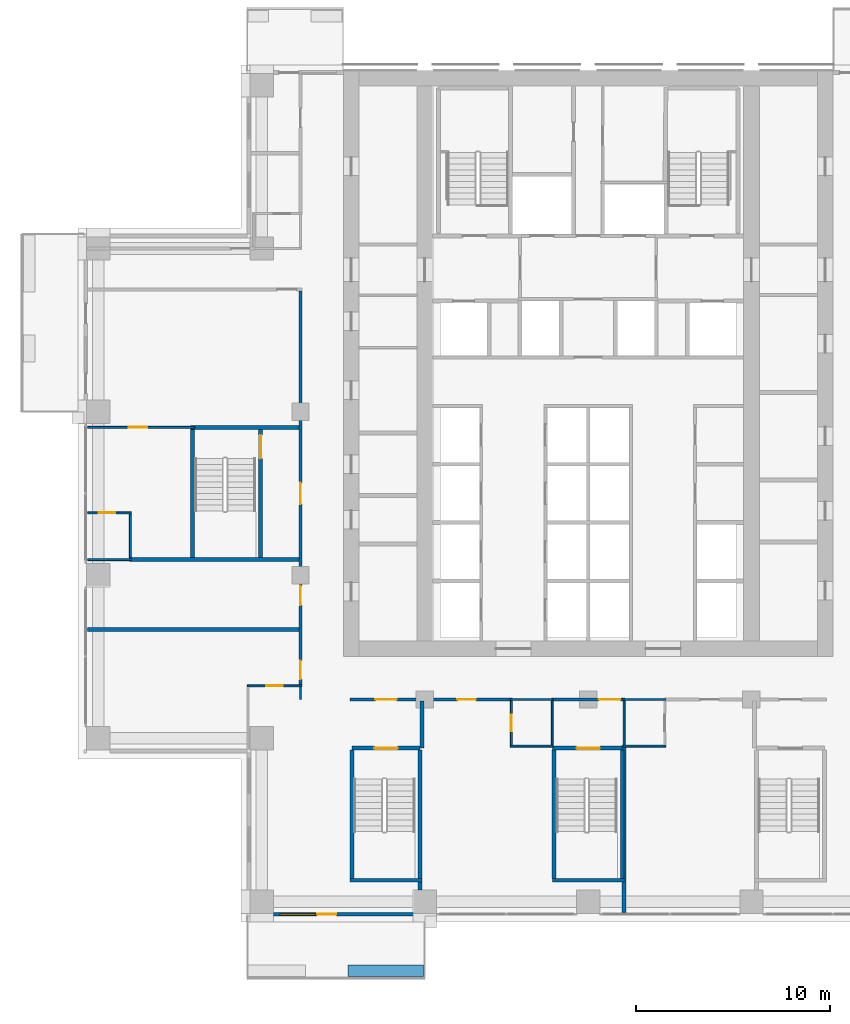
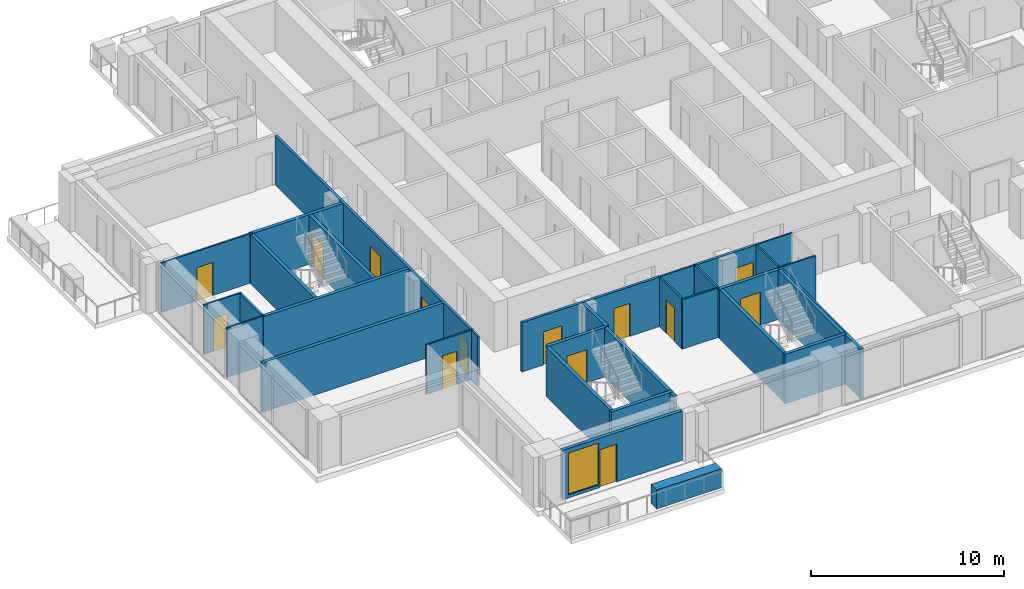
# One storey, part 7 of 17: 33 walls, 14 doors, 1 window, 15 openings.
"""IFC4 building model written with IfcOpenShell, lengths in metres."""

from ifc_helpers import new_model, si_unit, direction, frame, frame_2d, origin, place, context, subcontext, project, spatial, rectangle, extrude, material, layer, layer_set, type_object, element, fill, save


model = new_model("IFC4")

# Units and contexts
model_context = context("Model", 3, precision=1e-05, world=origin(), true_north=direction((0.0, 1.0)))
body_context = subcontext(model_context, "Body", "Model", "MODEL_VIEW")
ifc_project = project(units=[si_unit("LENGTHUNIT", "METRE"), si_unit("AREAUNIT", "SQUARE_METRE"), si_unit("VOLUMEUNIT", "CUBIC_METRE"), si_unit("PLANEANGLEUNIT", "RADIAN"), si_unit("MASSUNIT", "GRAM", prefix="KILO")], contexts=[model_context])

# Site, building, storey
site_placement = place(None, origin())
site = spatial("IfcSite", under=ifc_project, at=site_placement, CompositionType="ELEMENT")
building_placement = place(site_placement, origin())
building = spatial("IfcBuilding", under=site, at=building_placement, Name="Vermilion Ogive Tower", CompositionType="ELEMENT")
storey_placement = place(building_placement, frame((0.0, 0.0, 87.300048828125)))
storey = spatial("IfcBuildingStorey", under=building, at=storey_placement, Name="L21", CompositionType="ELEMENT", Elevation=87.300048828125)

# Walls
ifc_material_1 = material(Name="Gypsum board partition on steel studs", Category="steel")
ifc_layer_1 = layer(ifc_material_1, 0.10009765625)
ifc_layer_set_1 = layer_set([ifc_layer_1], Name="Partition 100 bath")
wall_type_1 = type_object("IfcWallType", Name="Partition 100 bath", PredefinedType="PARTITIONING", material=ifc_layer_set_1)
wall_1_placement = place(storey_placement, frame((-4.0, -13.0, 0.0), z_axis=(0.0, 0.0, 1.0), x_axis=(1.0, 0.0, 0.0)))
element("IfcWall", 1, at=wall_1_placement, inside=storey, type_object=wall_type_1, Name="L21-W-W005", PredefinedType="PARTITIONING", context=body_context, shape_type="SweptSolid", body=[
    extrude(rectangle(XDim=2.199951171875, YDim=0.10009765625, at=frame_2d((1.10009765625, 0.0))), origin(), (0.0, 0.0, 1.0), 3.1298828125),
])
wall_2_placement = place(storey_placement, frame((1.75, -13.0, 0.0), z_axis=(0.0, 0.0, 1.0), x_axis=(1.0, 0.0, 0.0)))
element("IfcWall", 2, at=wall_2_placement, inside=storey, type_object=wall_type_1, Name="L21-W-W006", PredefinedType="PARTITIONING", context=body_context, shape_type="SweptSolid", body=[
    extrude(rectangle(XDim=2.25, YDim=0.10009765625, at=frame_2d((1.125, 0.0))), origin(), (0.0, 0.0, 1.0), 3.1298828125),
])
for number, where, z_axis, x_axis, name in (
    (3, (-4.0, -10.60009765625, 0.0), (0.0, 0.0, 1.0), (1.0, 0.0, 0.0), "L21-W-W008"),
    (4, (1.800048828125, -10.60009765625, 0.0), (0.0, 0.0, 1.0), (1.0, 0.0, 0.0), "L21-W-W010"),
):
    element("IfcWall", number, at=place(storey_placement, frame(where, z_axis=z_axis, x_axis=x_axis)), inside=storey, type_object=wall_type_1, Name=name, PredefinedType="PARTITIONING", context=body_context, shape_type="SweptSolid", body=[
        extrude(rectangle(XDim=2.199951171875, YDim=0.10009765625, at=frame_2d((1.10009765625, 0.0))), origin(), (0.0, 0.0, 1.0), 3.1298828125),
    ])

# Wall, opening, door
wall_3_placement = place(storey_placement, frame((-17.550048828125, -9.89990234375, 0.0), z_axis=(0.0, 0.0, 1.0), x_axis=(1.0, 0.0, 0.0)))
wall_3 = element("IfcWall", 5, at=wall_3_placement, inside=storey, type_object=wall_type_1, Name="L21-W-W013", PredefinedType="PARTITIONING", context=body_context, shape_type="SweptSolid", body=[
    extrude(rectangle(XDim=2.824951171875, YDim=0.10009765625, at=frame_2d((1.41259765625, 0.0))), origin(), (0.0, 0.0, 1.0), 3.1298828125),
])
opening_1_placement = place(wall_3_placement, frame((0.97509765625, 0.0, 0.0)))
opening_1 = element("IfcOpeningElement", 6, at=opening_1_placement, cuts=wall_3, Name="Opening D2G1002", PredefinedType="OPENING", context=body_context, shape_type="SweptSolid", body=[
    extrude(rectangle(XDim=0.85009765625, YDim=2.10009765625, at=frame_2d((0.425048828125, 1.050048828125))), frame((0.0, 0.06005859375, 0.0), z_axis=(0.0, -1.0, 0.0), x_axis=(1.0, 0.0, 0.0)), (0.0, 0.0, 1.0), 0.1201171875),
])
ifc_material_2 = material(Name="Timber door leaf", Category="wood")
door_type_1 = type_object("IfcDoorType", Name="Bath door 850 x 2100 FD30", OperationType="SINGLE_SWING_LEFT", PredefinedType="DOOR", material=ifc_material_2)
door_1_placement = place(opening_1_placement, origin())
door_1 = element("IfcDoor", 7, at=door_1_placement, inside=storey, type_object=door_type_1, Name="L21-D-D002", OperationType="SINGLE_SWING_RIGHT", OverallHeight=2.10009765625, OverallWidth=0.85009765625, PredefinedType="DOOR", context=body_context, shape_type="SweptSolid", body=[
    extrude(rectangle(XDim=0.85009765625, YDim=2.10009765625, at=frame_2d((0.425048828125, 1.050048828125))), frame((0.0, 0.02490234375, 0.0), z_axis=(0.0, -1.0, 0.0), x_axis=(1.0, 0.0, 0.0)), (0.0, 0.0, 1.0), 0.050048828125),
])
fill(opening_1, door_1)

# Wall
wall_4_placement = place(storey_placement, frame((-25.75, -3.39990234375, 0.0), z_axis=(0.0, 0.0, 1.0), x_axis=(1.0, 0.0, 0.0)))
element("IfcWall", 8, at=wall_4_placement, inside=storey, type_object=wall_type_1, Name="L21-W-W016", PredefinedType="PARTITIONING", context=body_context, shape_type="SweptSolid", body=[
    extrude(rectangle(XDim=2.25, YDim=0.10009765625, at=frame_2d((1.125, 0.0))), origin(), (0.0, 0.0, 1.0), 3.1298828125),
])

# Wall, opening, door
wall_5_placement = place(storey_placement, frame((-25.75, -1.0, 0.0), z_axis=(0.0, 0.0, 1.0), x_axis=(1.0, 0.0, 0.0)))
wall_5 = element("IfcWall", 9, at=wall_5_placement, inside=storey, type_object=wall_type_1, Name="L21-W-W021", PredefinedType="PARTITIONING", context=body_context, shape_type="SweptSolid", body=[
    extrude(rectangle(XDim=2.25, YDim=0.10009765625, at=frame_2d((1.125, 0.0))), origin(), (0.0, 0.0, 1.0), 3.1298828125),
])
opening_2_placement = place(wall_5_placement, frame((0.574951171875, 0.0, 0.0)))
opening_2 = element("IfcOpeningElement", 10, at=opening_2_placement, cuts=wall_5, Name="Opening D2G1005", PredefinedType="OPENING", context=body_context, shape_type="SweptSolid", body=[
    extrude(rectangle(XDim=0.85009765625, YDim=2.10009765625, at=frame_2d((0.425048828125, 1.050048828125))), frame((0.0, 0.06005859375, 0.0), z_axis=(0.0, -1.0, 0.0), x_axis=(1.0, 0.0, 0.0)), (0.0, 0.0, 1.0), 0.1201171875),
])
door_2_placement = place(opening_2_placement, origin())
door_2 = element("IfcDoor", 11, at=door_2_placement, inside=storey, type_object=door_type_1, Name="L21-D-D005", OperationType="SINGLE_SWING_RIGHT", OverallHeight=2.10009765625, OverallWidth=0.85009765625, PredefinedType="DOOR", context=body_context, shape_type="SweptSolid", body=[
    extrude(rectangle(XDim=0.85009765625, YDim=2.10009765625, at=frame_2d((0.425048828125, 1.050048828125))), frame((0.0, 0.02490234375, 0.0), z_axis=(0.0, -1.0, 0.0), x_axis=(1.0, 0.0, 0.0)), (0.0, 0.0, 1.0), 0.050048828125),
])
fill(opening_2, door_2)

# Walls
wall_6_placement = place(storey_placement, frame((-23.550048828125, -3.300048828125, 0.0), z_axis=(0.0, 0.0, 1.0), x_axis=(0.0, 1.0, 0.0)))
element("IfcWall", 12, at=wall_6_placement, inside=storey, type_object=wall_type_1, Name="L21-W-W039", PredefinedType="PARTITIONING", context=body_context, shape_type="SweptSolid", body=[
    extrude(rectangle(XDim=2.25, YDim=0.10009765625, at=frame_2d((1.125, 0.0))), origin(), (0.0, 0.0, 1.0), 3.1298828125),
])
wall_7_placement = place(storey_placement, frame((-14.800048828125, -10.60009765625, 0.0), z_axis=(0.0, 0.0, 1.0), x_axis=(0.0, 1.0, 0.0)))
element("IfcWall", 13, at=wall_7_placement, inside=storey, type_object=wall_type_1, Name="L21-W-W044", PredefinedType="PARTITIONING", context=body_context, shape_type="SweptSolid", body=[
    extrude(rectangle(XDim=0.650146484375, YDim=0.10009765625, at=frame_2d((0.3251953125, 0.0))), origin(), (0.0, 0.0, 1.0), 3.1298828125),
])

# Wall, opening, door
wall_8_placement = place(storey_placement, frame((-3.949951171875, -12.949951171875, 0.0), z_axis=(0.0, 0.0, 1.0), x_axis=(0.0, 1.0, 0.0)))
wall_8 = element("IfcWall", 14, at=wall_8_placement, inside=storey, type_object=wall_type_1, Name="L21-W-W049", PredefinedType="PARTITIONING", context=body_context, shape_type="SweptSolid", body=[
    extrude(rectangle(XDim=2.27490234375, YDim=0.10009765625, at=frame_2d((1.137451171875, 0.0))), origin(), (0.0, 0.0, 1.0), 3.1298828125),
])
opening_3_placement = place(wall_8_placement, frame((0.724853515625, 0.0, 0.0)))
opening_3 = element("IfcOpeningElement", 15, at=opening_3_placement, cuts=wall_8, Name="Opening D2G1010", PredefinedType="OPENING", context=body_context, shape_type="SweptSolid", body=[
    extrude(rectangle(XDim=0.85009765625, YDim=2.10009765625, at=frame_2d((0.425048828125, 1.050048828125))), frame((0.0, 0.06005859375, 0.0), z_axis=(0.0, -1.0, 0.0), x_axis=(1.0, 0.0, 0.0)), (0.0, 0.0, 1.0), 0.1201171875),
])
door_3_placement = place(opening_3_placement, origin())
door_3 = element("IfcDoor", 16, at=door_3_placement, inside=storey, type_object=door_type_1, Name="L21-D-D010", OperationType="SINGLE_SWING_RIGHT", OverallHeight=2.10009765625, OverallWidth=0.85009765625, PredefinedType="DOOR", context=body_context, shape_type="SweptSolid", body=[
    extrude(rectangle(XDim=0.85009765625, YDim=2.10009765625, at=frame_2d((0.425048828125, 1.050048828125))), frame((0.0, 0.02490234375, 0.0), z_axis=(0.0, -1.0, 0.0), x_axis=(1.0, 0.0, 0.0)), (0.0, 0.0, 1.0), 0.050048828125),
])
fill(opening_3, door_3)

# Walls
for number, where, z_axis, x_axis, name in (
    (17, (-1.85009765625, -12.949951171875, 0.0), (0.0, 0.0, 1.0), (0.0, 1.0, 0.0), "L21-W-W050"),
    (18, (1.85009765625, -12.949951171875, 0.0), (0.0, 0.0, 1.0), (0.0, 1.0, 0.0), "L21-W-W054"),
):
    element("IfcWall", number, at=place(storey_placement, frame(where, z_axis=z_axis, x_axis=x_axis)), inside=storey, type_object=wall_type_1, Name=name, PredefinedType="PARTITIONING", context=body_context, shape_type="SweptSolid", body=[
        extrude(rectangle(XDim=2.27490234375, YDim=0.10009765625, at=frame_2d((1.137451171875, 0.0))), origin(), (0.0, 0.0, 1.0), 3.1298828125),
    ])

# Wall, opening, door
ifc_material_3 = material(Name="Gypsum board partition on steel studs", Category="steel")
ifc_layer_2 = layer(ifc_material_3, 0.10009765625)
ifc_layer_set_2 = layer_set([ifc_layer_2], Name="Partition 100 inner")
wall_type_2 = type_object("IfcWallType", Name="Partition 100 inner", PredefinedType="PARTITIONING", material=ifc_layer_set_2)
wall_9_placement = place(storey_placement, frame((-25.75, 3.39990234375, 0.0), z_axis=(0.0, 0.0, 1.0), x_axis=(1.0, 0.0, 0.0)))
wall_9 = element("IfcWall", 19, at=wall_9_placement, inside=storey, type_object=wall_type_2, Name="L21-W-W023", PredefinedType="PARTITIONING", context=body_context, shape_type="SweptSolid", body=[
    extrude(rectangle(XDim=5.5, YDim=0.10009765625, at=frame_2d((2.75, 0.0))), origin(), (0.0, 0.0, 1.0), 3.1298828125),
])
opening_4_placement = place(wall_9_placement, frame((2.125, 0.0, 0.0)))
opening_4 = element("IfcOpeningElement", 20, at=opening_4_placement, cuts=wall_9, Name="Opening D2G1004", PredefinedType="OPENING", context=body_context, shape_type="SweptSolid", body=[
    extrude(rectangle(XDim=0.949951171875, YDim=2.10009765625, at=frame_2d((0.47509765625, 1.050048828125))), frame((0.0, 0.06005859375, 0.0), z_axis=(0.0, -1.0, 0.0), x_axis=(1.0, 0.0, 0.0)), (0.0, 0.0, 1.0), 0.1201171875),
])
ifc_material_4 = material(Name="Timber door leaf", Category="wood")
door_type_2 = type_object("IfcDoorType", Name="Inner door 950 x 2100 FD30", OperationType="SINGLE_SWING_LEFT", PredefinedType="DOOR", material=ifc_material_4)
door_4_placement = place(opening_4_placement, origin())
door_4 = element("IfcDoor", 21, at=door_4_placement, inside=storey, type_object=door_type_2, Name="L21-D-D004", OperationType="SINGLE_SWING_LEFT", OverallHeight=2.10009765625, OverallWidth=0.949951171875, PredefinedType="DOOR", context=body_context, shape_type="SweptSolid", body=[
    extrude(rectangle(XDim=0.949951171875, YDim=2.10009765625, at=frame_2d((0.47509765625, 1.050048828125))), frame((0.0, 0.02490234375, 0.0), z_axis=(0.0, -1.0, 0.0), x_axis=(1.0, 0.0, 0.0)), (0.0, 0.0, 1.0), 0.050048828125),
])
fill(opening_4, door_4)

# Wall, openings, doors
ifc_material_5 = material(Name="Gypsum board partition on steel studs", Category="steel")
ifc_layer_3 = layer(ifc_material_5, 0.14990234375)
ifc_layer_set_3 = layer_set([ifc_layer_3], Name="Partition 150 corridor")
wall_type_3 = type_object("IfcWallType", Name="Partition 150 corridor", PredefinedType="PARTITIONING", material=ifc_layer_set_3)
wall_10_placement = place(storey_placement, frame((-12.25, -10.60009765625, 0.0), z_axis=(0.0, 0.0, 1.0), x_axis=(1.0, 0.0, 0.0)))
wall_10 = element("IfcWall", 22, at=wall_10_placement, inside=storey, type_object=wall_type_3, Name="L21-W-W007", PredefinedType="PARTITIONING", context=body_context, shape_type="SweptSolid", body=[
    extrude(rectangle(XDim=8.35009765625, YDim=0.14990234375, at=frame_2d((4.175048828125, 0.0))), origin(), (0.0, 0.0, 1.0), 3.1298828125),
])
opening_5_placement = place(wall_10_placement, frame((5.52490234375, 0.0, 0.0)))
opening_5 = element("IfcOpeningElement", 23, at=opening_5_placement, cuts=wall_10, Name="Opening D2G1009", PredefinedType="OPENING", context=body_context, shape_type="SweptSolid", body=[
    extrude(rectangle(XDim=0.949951171875, YDim=2.10009765625, at=frame_2d((0.47509765625, 1.050048828125))), frame((0.0, 0.0849609375, 0.0), z_axis=(0.0, -1.0, 0.0), x_axis=(1.0, 0.0, 0.0)), (0.0, 0.0, 1.0), 0.169921875),
])
opening_6_placement = place(wall_10_placement, frame((1.300048828125, 0.0, 0.0)))
opening_6 = element("IfcOpeningElement", 24, at=opening_6_placement, cuts=wall_10, Name="Opening D2G1023", PredefinedType="OPENING", context=body_context, shape_type="SweptSolid", body=[
    extrude(rectangle(XDim=1.10009765625, YDim=2.10009765625, at=frame_2d((0.550048828125, 1.050048828125))), frame((0.0, 0.0849609375, 0.0), z_axis=(0.0, -1.0, 0.0), x_axis=(1.0, 0.0, 0.0)), (0.0, 0.0, 1.0), 0.169921875),
])
ifc_material_6 = material(Name="Timber door leaf", Category="wood")
door_type_3 = type_object("IfcDoorType", Name="Stair door 1100 x 2100 FD60S", OperationType="SINGLE_SWING_LEFT", PredefinedType="DOOR", material=ifc_material_6)
door_5_placement = place(opening_6_placement, origin())
door_5 = element("IfcDoor", 25, at=door_5_placement, inside=storey, type_object=door_type_3, Name="L21-D-D023", OperationType="SINGLE_SWING_RIGHT", OverallHeight=2.10009765625, OverallWidth=1.10009765625, PredefinedType="DOOR", context=body_context, shape_type="SweptSolid", body=[
    extrude(rectangle(XDim=1.10009765625, YDim=2.10009765625, at=frame_2d((0.550048828125, 1.050048828125))), frame((0.0, 0.02490234375, 0.0), z_axis=(0.0, -1.0, 0.0), x_axis=(1.0, 0.0, 0.0)), (0.0, 0.0, 1.0), 0.050048828125),
])
fill(opening_6, door_5)
ifc_material_7 = material(Name="Timber door leaf", Category="wood")
door_type_4 = type_object("IfcDoorType", Name="Unit door 950 x 2100 FD30S", OperationType="SINGLE_SWING_LEFT", PredefinedType="DOOR", material=ifc_material_7)
door_6_placement = place(opening_5_placement, origin())
door_6 = element("IfcDoor", 26, at=door_6_placement, inside=storey, type_object=door_type_4, Name="L21-D-D009", OperationType="SINGLE_SWING_LEFT", OverallHeight=2.10009765625, OverallWidth=0.949951171875, PredefinedType="DOOR", context=body_context, shape_type="SweptSolid", body=[
    extrude(rectangle(XDim=0.949951171875, YDim=2.10009765625, at=frame_2d((0.47509765625, 1.050048828125))), frame((0.0, 0.02490234375, 0.0), z_axis=(0.0, -1.0, 0.0), x_axis=(1.0, 0.0, 0.0)), (0.0, 0.0, 1.0), 0.050048828125),
])
fill(opening_5, door_6)

# Wall, opening, door
wall_11_placement = place(storey_placement, frame((-1.89990234375, -10.60009765625, 0.0), z_axis=(0.0, 0.0, 1.0), x_axis=(1.0, 0.0, 0.0)))
wall_11 = element("IfcWall", 27, at=wall_11_placement, inside=storey, type_object=wall_type_3, Name="L21-W-W009", PredefinedType="PARTITIONING", context=body_context, shape_type="SweptSolid", body=[
    extrude(rectangle(XDim=3.7998046875, YDim=0.14990234375, at=frame_2d((1.89990234375, 0.0))), origin(), (0.0, 0.0, 1.0), 3.1298828125),
])
opening_7_placement = place(wall_11_placement, frame((2.449951171875, 0.0, 0.0)))
opening_7 = element("IfcOpeningElement", 28, at=opening_7_placement, cuts=wall_11, Name="Opening D2G1025", PredefinedType="OPENING", context=body_context, shape_type="SweptSolid", body=[
    extrude(rectangle(XDim=1.10009765625, YDim=2.10009765625, at=frame_2d((0.550048828125, 1.050048828125))), frame((0.0, 0.0849609375, 0.0), z_axis=(0.0, -1.0, 0.0), x_axis=(1.0, 0.0, 0.0)), (0.0, 0.0, 1.0), 0.169921875),
])
door_7_placement = place(opening_7_placement, origin())
door_7 = element("IfcDoor", 29, at=door_7_placement, inside=storey, type_object=door_type_3, Name="L21-D-D025", OperationType="SINGLE_SWING_LEFT", OverallHeight=2.10009765625, OverallWidth=1.10009765625, PredefinedType="DOOR", context=body_context, shape_type="SweptSolid", body=[
    extrude(rectangle(XDim=1.10009765625, YDim=2.10009765625, at=frame_2d((0.550048828125, 1.050048828125))), frame((0.0, 0.02490234375, 0.0), z_axis=(0.0, -1.0, 0.0), x_axis=(1.0, 0.0, 0.0)), (0.0, 0.0, 1.0), 0.050048828125),
])
fill(opening_7, door_7)

# Wall, openings, doors
wall_12_placement = place(storey_placement, frame((-14.800048828125, -9.85009765625, 0.0), z_axis=(0.0, 0.0, 1.0), x_axis=(0.0, 1.0, 0.0)))
wall_12 = element("IfcWall", 30, at=wall_12_placement, inside=storey, type_object=wall_type_3, Name="L21-W-W045", PredefinedType="PARTITIONING", context=body_context, shape_type="SweptSolid", body=[
    extrude(rectangle(XDim=20.275146484375, YDim=0.14990234375, at=frame_2d((10.1376953125, 0.0))), origin(), (0.0, 0.0, 1.0), 3.1298828125),
])
opening_8_placement = place(wall_12_placement, frame((0.300048828125, 0.0, 0.0)))
opening_8 = element("IfcOpeningElement", 31, at=opening_8_placement, cuts=wall_12, Name="Opening D2G1001", PredefinedType="OPENING", context=body_context, shape_type="SweptSolid", body=[
    extrude(rectangle(XDim=0.949951171875, YDim=2.10009765625, at=frame_2d((0.47509765625, 1.050048828125))), frame((0.0, 0.0849609375, 0.0), z_axis=(0.0, -1.0, 0.0), x_axis=(1.0, 0.0, 0.0)), (0.0, 0.0, 1.0), 0.169921875),
])
opening_9_placement = place(wall_12_placement, frame((9.300048828125, 0.0, 0.0)))
opening_9 = element("IfcOpeningElement", 32, at=opening_9_placement, cuts=wall_12, Name="Opening D2G1031", PredefinedType="OPENING", context=body_context, shape_type="SweptSolid", body=[
    extrude(rectangle(XDim=1.10009765625, YDim=2.10009765625, at=frame_2d((0.550048828125, 1.050048828125))), frame((0.0, 0.0849609375, 0.0), z_axis=(0.0, -1.0, 0.0), x_axis=(1.0, 0.0, 0.0)), (0.0, 0.0, 1.0), 0.169921875),
])
opening_10_placement = place(wall_12_placement, frame((4.10009765625, 0.0, 0.0)))
opening_10 = element("IfcOpeningElement", 33, at=opening_10_placement, cuts=wall_12, Name="Opening D2G1033", PredefinedType="OPENING", context=body_context, shape_type="SweptSolid", body=[
    extrude(rectangle(XDim=1.0, YDim=2.10009765625, at=frame_2d((0.5, 1.050048828125))), frame((0.0, 0.0849609375, 0.0), z_axis=(0.0, -1.0, 0.0), x_axis=(1.0, 0.0, 0.0)), (0.0, 0.0, 1.0), 0.169921875),
])
door_8_placement = place(opening_9_placement, origin())
door_8 = element("IfcDoor", 34, at=door_8_placement, inside=storey, type_object=door_type_3, Name="L21-D-D031", OperationType="SINGLE_SWING_RIGHT", OverallHeight=2.10009765625, OverallWidth=1.10009765625, PredefinedType="DOOR", context=body_context, shape_type="SweptSolid", body=[
    extrude(rectangle(XDim=1.10009765625, YDim=2.10009765625, at=frame_2d((0.550048828125, 1.050048828125))), frame((0.0, 0.02490234375, 0.0), z_axis=(0.0, -1.0, 0.0), x_axis=(1.0, 0.0, 0.0)), (0.0, 0.0, 1.0), 0.050048828125),
])
fill(opening_9, door_8)
ifc_material_8 = material(Name="Timber door leaf", Category="wood")
door_type_5 = type_object("IfcDoorType", Name="Unit door 1000 x 2100 FD30S", OperationType="SINGLE_SWING_LEFT", PredefinedType="DOOR", material=ifc_material_8)
door_9_placement = place(opening_10_placement, origin())
door_9 = element("IfcDoor", 35, at=door_9_placement, inside=storey, type_object=door_type_5, Name="L21-D-D033", OperationType="SINGLE_SWING_LEFT", OverallHeight=2.10009765625, OverallWidth=1.0, PredefinedType="DOOR", context=body_context, shape_type="SweptSolid", body=[
    extrude(rectangle(XDim=1.0, YDim=2.10009765625, at=frame_2d((0.5, 1.050048828125))), frame((0.0, 0.02490234375, 0.0), z_axis=(0.0, -1.0, 0.0), x_axis=(1.0, 0.0, 0.0)), (0.0, 0.0, 1.0), 0.050048828125),
])
fill(opening_10, door_9)
door_10_placement = place(opening_8_placement, origin())
door_10 = element("IfcDoor", 36, at=door_10_placement, inside=storey, type_object=door_type_4, Name="L21-D-D001", OperationType="SINGLE_SWING_LEFT", OverallHeight=2.10009765625, OverallWidth=0.949951171875, PredefinedType="DOOR", context=body_context, shape_type="SweptSolid", body=[
    extrude(rectangle(XDim=0.949951171875, YDim=2.10009765625, at=frame_2d((0.47509765625, 1.050048828125))), frame((0.0, 0.02490234375, 0.0), z_axis=(0.0, -1.0, 0.0), x_axis=(1.0, 0.0, 0.0)), (0.0, 0.0, 1.0), 0.050048828125),
])
fill(opening_8, door_10)

# Walls
ifc_material_9 = material(Name="Gypsum board partition on steel studs", Category="steel")
ifc_layer_4 = layer(ifc_material_9, 0.199951171875)
ifc_layer_set_4 = layer_set([ifc_layer_4], Name="Partition 200 party")
wall_type_4 = type_object("IfcWallType", Name="Partition 200 party", PredefinedType="PARTITIONING", material=ifc_layer_set_4)
wall_13_placement = place(storey_placement, frame((-25.75, -7.0, 0.0), z_axis=(0.0, 0.0, 1.0), x_axis=(1.0, 0.0, 0.0)))
element("IfcWall", 37, at=wall_13_placement, inside=storey, type_object=wall_type_4, Name="L21-W-W014", PredefinedType="PARTITIONING", context=body_context, shape_type="SweptSolid", body=[
    extrude(rectangle(XDim=10.875, YDim=0.199951171875, at=frame_2d((5.4375, 0.0))), origin(), (0.0, 0.0, 1.0), 3.1298828125),
])
wall_14_placement = place(storey_placement, frame((-8.550048828125, -13.10009765625, 0.0), z_axis=(0.0, 0.0, 1.0), x_axis=(0.0, 1.0, 0.0)))
element("IfcWall", 38, at=wall_14_placement, inside=storey, type_object=wall_type_4, Name="L21-W-W048", PredefinedType="PARTITIONING", context=body_context, shape_type="SweptSolid", body=[
    extrude(rectangle(XDim=2.425048828125, YDim=0.199951171875, at=frame_2d((1.21240234375, 0.0))), origin(), (0.0, 0.0, 1.0), 3.1298828125),
])
ifc_material_10 = material(Name="Concrete B60", Category="concrete")
ifc_layer_5 = layer(ifc_material_10, 0.199951171875)
ifc_layer_set_5 = layer_set([ifc_layer_5], Name="Stair shaft wall 200 Concrete B60")
wall_type_5 = type_object("IfcWallType", Name="Stair shaft wall 200 Concrete B60", PredefinedType="SOLIDWALL", material=ifc_layer_set_5)
wall_15_placement = place(storey_placement, frame((-1.847900390625, -19.89990234375, 0.0), z_axis=(0.0, 0.0, 1.0), x_axis=(1.0, 0.0, 0.0)))
element("IfcWall", 39, at=wall_15_placement, inside=storey, type_object=wall_type_5, Name="L21-W-W001", PredefinedType="SOLIDWALL", context=body_context, shape_type="SweptSolid", body=[
    extrude(rectangle(XDim=3.69580078125, YDim=0.199951171875, at=frame_2d((1.847900390625, 0.0))), origin(), (0.0, 0.0, 1.0), 3.1298828125),
])

# Wall, opening, door
wall_16_placement = place(storey_placement, frame((-12.14990234375, -13.10009765625, 0.0), z_axis=(0.0, 0.0, 1.0), x_axis=(1.0, 0.0, 0.0)))
wall_16 = element("IfcWall", 40, at=wall_16_placement, inside=storey, type_object=wall_type_5, Name="L21-W-W002", PredefinedType="SOLIDWALL", context=body_context, shape_type="SweptSolid", body=[
    extrude(rectangle(XDim=3.5, YDim=0.199951171875, at=frame_2d((1.75, 0.0))), origin(), (0.0, 0.0, 1.0), 3.1298828125),
])
opening_11_placement = place(wall_16_placement, frame((1.14990234375, 0.0, 0.0)))
opening_11 = element("IfcOpeningElement", 41, at=opening_11_placement, cuts=wall_16, Name="Opening D2G1024", PredefinedType="OPENING", context=body_context, shape_type="SweptSolid", body=[
    extrude(rectangle(XDim=1.199951171875, YDim=2.10009765625, at=frame_2d((0.60009765625, 1.050048828125))), frame((0.0, 0.10986328125, 0.0), z_axis=(0.0, -1.0, 0.0), x_axis=(1.0, 0.0, 0.0)), (0.0, 0.0, 1.0), 0.219970703125),
])
ifc_material_11 = material(Name="Timber door leaf", Category="wood")
door_type_6 = type_object("IfcDoorType", Name="Stair door 1200 x 2100 FD60S", OperationType="SINGLE_SWING_LEFT", PredefinedType="DOOR", material=ifc_material_11)
door_11_placement = place(opening_11_placement, origin())
door_11 = element("IfcDoor", 42, at=door_11_placement, inside=storey, type_object=door_type_6, Name="L21-D-D024", OperationType="SINGLE_SWING_RIGHT", OverallHeight=2.10009765625, OverallWidth=1.199951171875, PredefinedType="DOOR", context=body_context, shape_type="SweptSolid", body=[
    extrude(rectangle(XDim=1.199951171875, YDim=2.10009765625, at=frame_2d((0.60009765625, 1.050048828125))), frame((0.0, 0.02490234375, 0.0), z_axis=(0.0, -1.0, 0.0), x_axis=(1.0, 0.0, 0.0)), (0.0, 0.0, 1.0), 0.050048828125),
])
fill(opening_11, door_11)

wall_17_placement = place(storey_placement, frame((-1.847900390625, -13.10009765625, 0.0), z_axis=(0.0, 0.0, 1.0), x_axis=(1.0, 0.0, 0.0)))
wall_17 = element("IfcWall", 43, at=wall_17_placement, inside=storey, type_object=wall_type_5, Name="L21-W-W003", PredefinedType="SOLIDWALL", context=body_context, shape_type="SweptSolid", body=[
    extrude(rectangle(XDim=3.595947265625, YDim=0.199951171875, at=frame_2d((1.7978515625, 0.0))), origin(), (0.0, 0.0, 1.0), 3.1298828125),
])
opening_12_placement = place(wall_17_placement, frame((1.247802734375, 0.0, 0.0)))
opening_12 = element("IfcOpeningElement", 44, at=opening_12_placement, cuts=wall_17, Name="Opening D2G1026", PredefinedType="OPENING", context=body_context, shape_type="SweptSolid", body=[
    extrude(rectangle(XDim=1.199951171875, YDim=2.10009765625, at=frame_2d((0.60009765625, 1.050048828125))), frame((0.0, 0.10986328125, 0.0), z_axis=(0.0, -1.0, 0.0), x_axis=(1.0, 0.0, 0.0)), (0.0, 0.0, 1.0), 0.219970703125),
])
door_12_placement = place(opening_12_placement, origin())
door_12 = element("IfcDoor", 45, at=door_12_placement, inside=storey, type_object=door_type_6, Name="L21-D-D026", OperationType="SINGLE_SWING_RIGHT", OverallHeight=2.10009765625, OverallWidth=1.199951171875, PredefinedType="DOOR", context=body_context, shape_type="SweptSolid", body=[
    extrude(rectangle(XDim=1.199951171875, YDim=2.10009765625, at=frame_2d((0.60009765625, 1.050048828125))), frame((0.0, 0.02490234375, 0.0), z_axis=(0.0, -1.0, 0.0), x_axis=(1.0, 0.0, 0.0)), (0.0, 0.0, 1.0), 0.050048828125),
])
fill(opening_12, door_12)

# Wall
wall_18_placement = place(storey_placement, frame((-20.449951171875, 3.39990234375, 0.0), z_axis=(0.0, 0.0, 1.0), x_axis=(1.0, 0.0, 0.0)))
element("IfcWall", 46, at=wall_18_placement, inside=storey, type_object=wall_type_5, Name="L21-W-W024", PredefinedType="SOLIDWALL", context=body_context, shape_type="SweptSolid", body=[
    extrude(rectangle(XDim=5.574951171875, YDim=0.199951171875, at=frame_2d((2.78759765625, 0.0))), origin(), (0.0, 0.0, 1.0), 3.1298828125),
])

# Wall, opening, door
wall_19_placement = place(storey_placement, frame((-16.85009765625, -3.300048828125, 0.0), z_axis=(0.0, 0.0, 1.0), x_axis=(0.0, 1.0, 0.0)))
wall_19 = element("IfcWall", 47, at=wall_19_placement, inside=storey, type_object=wall_type_5, Name="L21-W-W043", PredefinedType="SOLIDWALL", context=body_context, shape_type="SweptSolid", body=[
    extrude(rectangle(XDim=6.60009765625, YDim=0.199951171875, at=frame_2d((3.300048828125, 0.0))), origin(), (0.0, 0.0, 1.0), 3.1298828125),
])
opening_13_placement = place(wall_19_placement, frame((5.10009765625, 0.0, 0.0)))
opening_13 = element("IfcOpeningElement", 48, at=opening_13_placement, cuts=wall_19, Name="Opening D2G1032", PredefinedType="OPENING", context=body_context, shape_type="SweptSolid", body=[
    extrude(rectangle(XDim=1.199951171875, YDim=2.10009765625, at=frame_2d((0.60009765625, 1.050048828125))), frame((0.0, 0.10986328125, 0.0), z_axis=(0.0, -1.0, 0.0), x_axis=(1.0, 0.0, 0.0)), (0.0, 0.0, 1.0), 0.219970703125),
])
door_13_placement = place(opening_13_placement, origin())
door_13 = element("IfcDoor", 49, at=door_13_placement, inside=storey, type_object=door_type_6, Name="L21-D-D032", OperationType="SINGLE_SWING_RIGHT", OverallHeight=2.10009765625, OverallWidth=1.199951171875, PredefinedType="DOOR", context=body_context, shape_type="SweptSolid", body=[
    extrude(rectangle(XDim=1.199951171875, YDim=2.10009765625, at=frame_2d((0.60009765625, 1.050048828125))), frame((0.0, 0.02490234375, 0.0), z_axis=(0.0, -1.0, 0.0), x_axis=(1.0, 0.0, 0.0)), (0.0, 0.0, 1.0), 0.050048828125),
])
fill(opening_13, door_13)

# Walls
for number, where, z_axis, x_axis, name in (
    (50, (-1.75, -19.798095703125, 0.0), (0.0, 0.0, 1.0), (0.0, 1.0, 0.0), "L21-W-W051"),
    (51, (1.75, -19.798095703125, 0.0), (0.0, 0.0, 1.0), (0.0, 1.0, 0.0), "L21-W-W052"),
):
    element("IfcWall", number, at=place(storey_placement, frame(where, z_axis=z_axis, x_axis=x_axis)), inside=storey, type_object=wall_type_5, Name=name, PredefinedType="SOLIDWALL", context=body_context, shape_type="SweptSolid", body=[
        extrude(rectangle(XDim=6.59619140625, YDim=0.199951171875, at=frame_2d((3.298095703125, 0.0))), origin(), (0.0, 0.0, 1.0), 3.1298828125),
    ])
wall_20_placement = place(storey_placement, frame((-12.25, -19.89990234375, 0.0), z_axis=(0.0, 0.0, 1.0), x_axis=(1.0, 0.0, 0.0)))
element("IfcWall", 52, at=wall_20_placement, inside=storey, type_object=wall_type_5, Name="L21-SW-ST3-S1", PredefinedType="SOLIDWALL", context=body_context, shape_type="SweptSolid", body=[
    extrude(rectangle(XDim=3.699951171875, YDim=0.199951171875, at=frame_2d((1.85009765625, 0.0))), origin(), (0.0, 0.0, 1.0), 3.1298828125),
])
wall_21_placement = place(storey_placement, frame((-12.14990234375, -19.800048828125, 0.0), z_axis=(0.0, 0.0, 1.0), x_axis=(0.0, 1.0, 0.0)))
element("IfcWall", 53, at=wall_21_placement, inside=storey, type_object=wall_type_5, Name="L21-SW-ST3-W1", PredefinedType="SOLIDWALL", context=body_context, shape_type="SweptSolid", body=[
    extrude(rectangle(XDim=6.60009765625, YDim=0.199951171875, at=frame_2d((3.300048828125, 0.0))), origin(), (0.0, 0.0, 1.0), 3.1298828125),
])
wall_22_placement = place(storey_placement, frame((-8.64990234375, -20.39990234375, 0.0), z_axis=(0.0, 0.0, 1.0), x_axis=(0.0, 1.0, 0.0)))
element("IfcWall", 54, at=wall_22_placement, inside=storey, type_object=wall_type_5, Name="L21-SW-ST3-E1", PredefinedType="SOLIDWALL", context=body_context, shape_type="SweptSolid", body=[
    extrude(rectangle(XDim=7.199951171875, YDim=0.199951171875, at=frame_2d((3.60009765625, 0.0))), origin(), (0.0, 0.0, 1.0), 3.1298828125),
])
wall_23_placement = place(storey_placement, frame((-20.35009765625, -3.300048828125, 0.0), z_axis=(0.0, 0.0, 1.0), x_axis=(0.0, 1.0, 0.0)))
element("IfcWall", 55, at=wall_23_placement, inside=storey, type_object=wall_type_5, Name="L21-W-W040-A", PredefinedType="SOLIDWALL", context=body_context, shape_type="SweptSolid", body=[
    extrude(rectangle(XDim=6.60009765625, YDim=0.199951171875, at=frame_2d((3.300048828125, 0.0))), origin(), (0.0, 0.0, 1.0), 3.1298828125),
])
wall_24_placement = place(storey_placement, frame((-23.60009765625, -3.39990234375, 0.0), z_axis=(0.0, 0.0, 1.0), x_axis=(1.0, 0.0, 0.0)))
element("IfcWall", 56, at=wall_24_placement, inside=storey, type_object=wall_type_5, Name="L21-W-W017-A", PredefinedType="SOLIDWALL", context=body_context, shape_type="SweptSolid", body=[
    extrude(rectangle(XDim=8.72509765625, YDim=0.199951171875, at=frame_2d((4.362548828125, 0.0))), origin(), (0.0, 0.0, 1.0), 3.1298828125),
])
wall_25_placement = place(storey_placement, frame((1.85009765625, -21.550048828125, 0.0), z_axis=(0.0, 0.0, 1.0), x_axis=(0.0, 1.0, 0.0)))
element("IfcWall", 57, at=wall_25_placement, inside=storey, type_object=wall_type_5, Name="L21-W-W053-A", PredefinedType="SOLIDWALL", context=body_context, shape_type="SweptSolid", body=[
    extrude(rectangle(XDim=8.5, YDim=0.199951171875, at=frame_2d((4.25, 0.0))), origin(), (0.0, 0.0, 1.0), 3.1298828125),
])
ifc_material_12 = material(Name="Concrete B40", Category="concrete")
ifc_layer_6 = layer(ifc_material_12, 0.60009765625)
ifc_layer_set_6 = layer_set([ifc_layer_6], Name="Structural planter")
wall_type_6 = type_object("IfcWallType", Name="Structural planter", PredefinedType="USERDEFINED", material=ifc_layer_set_6)
wall_26_placement = place(storey_placement, frame((-12.35009765625, -24.550048828125, -0.0400390625), z_axis=(0.0, 0.0, 1.0), x_axis=(1.0, 0.0, 0.0)))
element("IfcWall", 58, at=wall_26_placement, inside=storey, type_object=wall_type_6, Name="Planter S01A2", ObjectType="PLANTER", PredefinedType="USERDEFINED", context=body_context, shape_type="SweptSolid", body=[
    extrude(rectangle(XDim=3.89013671875, YDim=0.60009765625, at=frame_2d((1.945068359375, 0.0))), origin(), (0.0, 0.0, 1.0), 1.199951171875),
])

# Wall, openings, door, window
ifc_material_13 = material(Name="Aluminium window wall framing", Category="aluminium")
ifc_layer_7 = layer(ifc_material_13, 0.199951171875)
ifc_layer_set_7 = layer_set([ifc_layer_7], Name="Window wall")
wall_type_7 = type_object("IfcWallType", Name="Window wall", PredefinedType="STANDARD", material=ifc_layer_set_7)
wall_27_placement = place(storey_placement, frame((-16.199951171875, -21.64990234375, 0.0), z_axis=(0.0, 0.0, 1.0), x_axis=(1.0, 0.0, 0.0)))
wall_27 = element("IfcWall", 59, at=wall_27_placement, inside=storey, type_object=wall_type_7, Name="Window wall S1", PredefinedType="STANDARD", context=body_context, shape_type="SweptSolid", body=[
    extrude(rectangle(XDim=7.199951171875, YDim=0.199951171875, at=frame_2d((3.60009765625, 0.0))), origin(), (0.0, 0.0, 1.0), 3.1298828125),
])
opening_14_placement = place(wall_27_placement, frame((0.35009765625, 0.0, 0.199951171875)))
opening_14 = element("IfcOpeningElement", 60, at=opening_14_placement, cuts=wall_27, Name="Opening W1-S96", PredefinedType="OPENING", context=body_context, shape_type="SweptSolid", body=[
    extrude(rectangle(XDim=1.800048828125, YDim=2.64990234375, at=frame_2d((0.89990234375, 1.324951171875))), frame((0.0, 0.10986328125, 0.0), z_axis=(0.0, -1.0, 0.0), x_axis=(1.0, 0.0, 0.0)), (0.0, 0.0, 1.0), 0.219970703125),
])
opening_15_placement = place(wall_27_placement, frame((2.25, 0.0, 0.0)))
opening_15 = element("IfcOpeningElement", 61, at=opening_15_placement, cuts=wall_27, Name="Opening D1-S96", PredefinedType="OPENING", context=body_context, shape_type="SweptSolid", body=[
    extrude(rectangle(XDim=1.0, YDim=2.39990234375, at=frame_2d((0.5, 1.199951171875))), frame((0.0, 0.10986328125, 0.0), z_axis=(0.0, -1.0, 0.0), x_axis=(1.0, 0.0, 0.0)), (0.0, 0.0, 1.0), 0.219970703125),
])
ifc_material_14 = material(Name="Aluminium framed glazed door", Category="aluminium")
door_type_7 = type_object("IfcDoorType", Name="Balcony door D1", OperationType="SINGLE_SWING_LEFT", PredefinedType="DOOR", material=ifc_material_14)
door_14_placement = place(opening_15_placement, origin())
door_14 = element("IfcDoor", 62, at=door_14_placement, inside=storey, type_object=door_type_7, Name="Balcony door S96", OperationType="SINGLE_SWING_LEFT", OverallHeight=2.39990234375, OverallWidth=1.0, PredefinedType="DOOR", context=body_context, shape_type="SweptSolid", body=[
    extrude(rectangle(XDim=1.0, YDim=2.39990234375, at=frame_2d((0.5, 1.199951171875))), frame((0.0, 0.02490234375, 0.0), z_axis=(0.0, -1.0, 0.0), x_axis=(1.0, 0.0, 0.0)), (0.0, 0.0, 1.0), 0.050048828125),
])
fill(opening_15, door_14)
ifc_material_15 = material(Name="Aluminium framed double glazing", Category="aluminium")
window_type = type_object("IfcWindowType", Name="Guest window W1", PartitioningType="SINGLE_PANEL", PredefinedType="WINDOW", material=ifc_material_15)
window_placement = place(opening_14_placement, origin())
window = element("IfcWindow", 63, at=window_placement, inside=storey, type_object=window_type, Name="Window S96", OverallHeight=2.64990234375, OverallWidth=1.800048828125, PartitioningType="SINGLE_PANEL", PredefinedType="WINDOW", context=body_context, shape_type="SweptSolid", body=[
    extrude(rectangle(XDim=1.800048828125, YDim=2.64990234375, at=frame_2d((0.89990234375, 1.324951171875))), frame((0.0, 0.030029296875, 0.0), z_axis=(0.0, -1.0, 0.0), x_axis=(1.0, 0.0, 0.0)), (0.0, 0.0, 1.0), 0.06005859375),
])
fill(opening_14, window)

save(model, "model.ifc")
